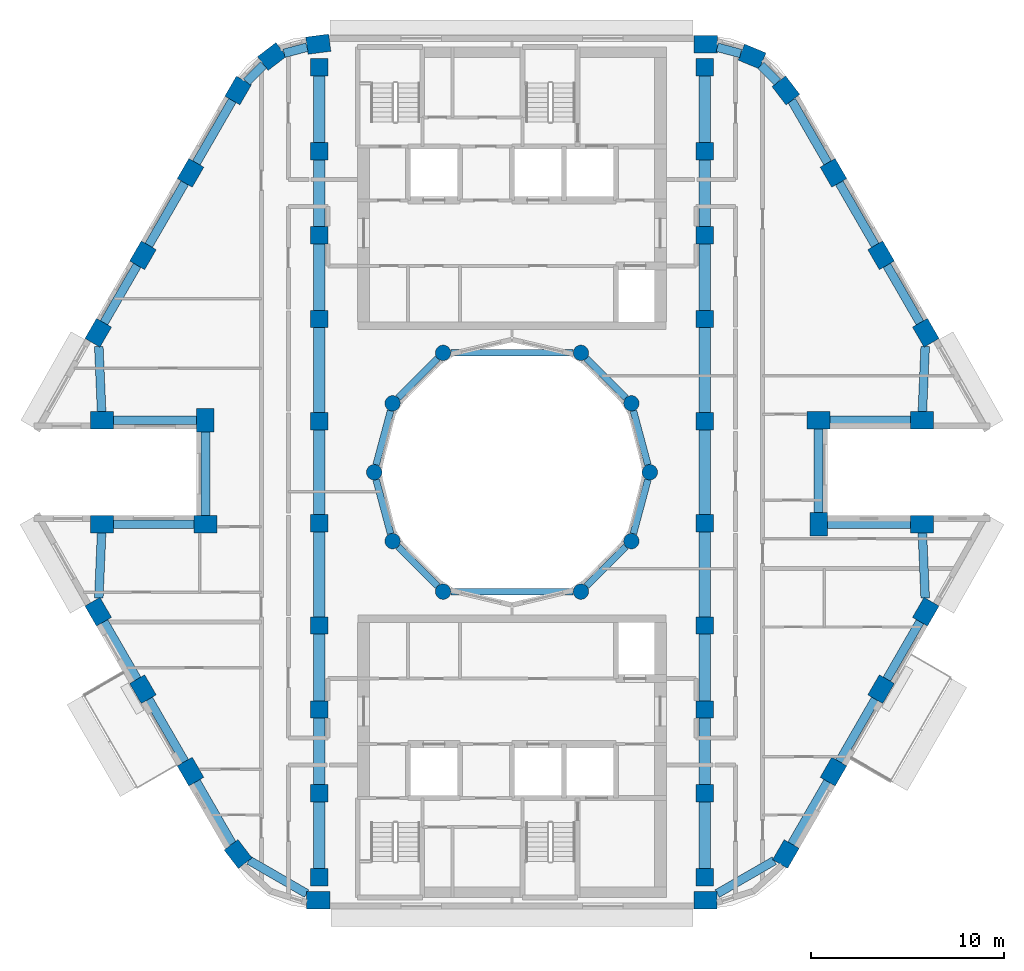
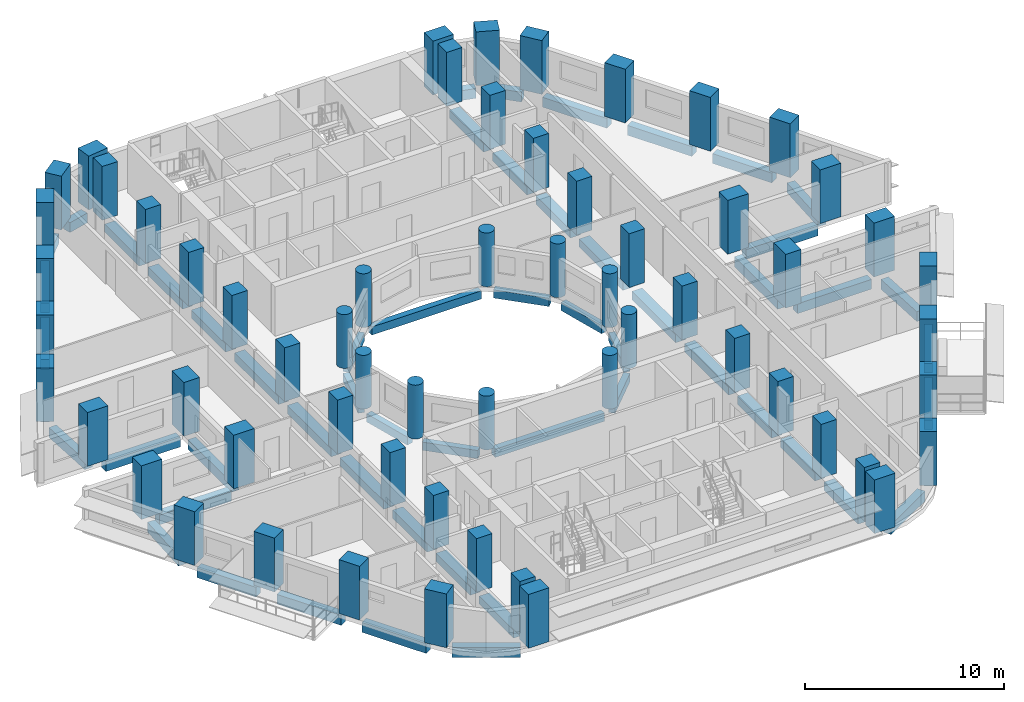
# One storey, part 1 of 15: 60 columns, 56 beams.
"""IFC4 building model written with IfcOpenShell, lengths in metres."""

from ifc_helpers import new_model, si_unit, direction, frame, origin, origin_2d, place, context, subcontext, project, spatial, rectangle, circle, extrude, material, material_profile, profile_set, type_object, element, save


model = new_model("IFC4")

# Units and contexts
model_context = context("Model", 3, precision=1e-05, world=origin(), true_north=direction((0.0, 1.0)))
body_context = subcontext(model_context, "Body", "Model", "MODEL_VIEW")
ifc_project = project(units=[si_unit("LENGTHUNIT", "METRE"), si_unit("AREAUNIT", "SQUARE_METRE"), si_unit("VOLUMEUNIT", "CUBIC_METRE"), si_unit("PLANEANGLEUNIT", "RADIAN"), si_unit("MASSUNIT", "GRAM", prefix="KILO")], contexts=[model_context])

# Site, building, storey
site_placement = place(None, origin())
site = spatial("IfcSite", under=ifc_project, at=site_placement, CompositionType="ELEMENT")
building_placement = place(site_placement, origin())
building = spatial("IfcBuilding", under=site, at=building_placement, Name="Nakaniwa Court", CompositionType="ELEMENT")
storey_placement = place(building_placement, frame((0.0, 0.0, 189.89990234375)))
storey = spatial("IfcBuildingStorey", under=building, at=storey_placement, Name="L49", CompositionType="ELEMENT", Elevation=189.89990234375)

# Columns
ifc_material = material(Name="Concrete C80/100", Category="concrete")
ifc_material_profile_1 = material_profile(ifc_material, rectangle(XDim=1.199951171875, YDim=0.89990234375, at=origin_2d()), Name="Concrete C80/100 RC 1200x900 perimeter column")
ifc_profile_set_1 = profile_set([ifc_material_profile_1], Name="Concrete C80/100")
column_type_1 = type_object("IfcColumnType", Name="Concrete C80/100 RC 1200x900 perimeter column", PredefinedType="COLUMN", material=ifc_profile_set_1)
for number, where, z_axis, x_axis, name in (
    (1, (69.95458984375, 102.199951171875, 0.0), (0.0, 0.0, 1.0), (-0.991442583111, -0.130543496177, 0.0), "COLUMN CO-01"),
    (2, (67.552001953125, 101.560302734375, 0.0), (0.0, 0.0, 1.0), (-0.793363965062, -0.608747582288, 0.0), "COLUMN CO-02"),
    (3, (65.796875, 99.799560546875, 0.0), (0.0, 0.0, 1.0), (-0.5, -0.866025403784, 0.0), "COLUMN CO-03"),
    (4, (63.328857421875, 95.524658203125, 0.0), (0.0, 0.0, 1.0), (-0.5, -0.866025403784, 0.0), "COLUMN CO-04"),
    (5, (60.860595703125, 91.249755859375, 0.0), (0.0, 0.0, 1.0), (-0.5, -0.866025403784, 0.0), "COLUMN CO-05"),
    (6, (58.541015625, 87.232177734375, 0.0), (0.0, 0.0, 1.0), (-0.5, -0.866025403784, 0.0), "COLUMN CO-06"),
    (7, (58.736083984375, 82.699951171875, 0.0), (0.0, 0.0, 1.0), (1.0, 0.0, 0.0), "COLUMN CO-08"),
    (8, (64.1005859375, 82.699951171875, 0.0), (0.0, 0.0, 1.0), (0.0, -1.0, 0.0), "COLUMN CO-09"),
    (9, (64.1005859375, 77.300048828125, 0.0), (0.0, 0.0, 1.0), (-1.0, 0.0, 0.0), "COLUMN CO-10"),
    (10, (58.736083984375, 77.300048828125, 0.0), (0.0, 0.0, 1.0), (-1.0, 0.0, 0.0), "COLUMN CO-11"),
    (11, (58.541015625, 72.767822265625, 0.0), (0.0, 0.0, 1.0), (0.5, -0.866025403784, 0.0), "COLUMN CO-13"),
    (12, (60.860595703125, 68.750244140625, 0.0), (0.0, 0.0, 1.0), (0.5, -0.866025403784, 0.0), "COLUMN CO-14"),
    (13, (63.328857421875, 64.475341796875, 0.0), (0.0, 0.0, 1.0), (0.5, -0.866025403784, 0.0), "COLUMN CO-15"),
    (14, (65.796875, 60.200439453125, 0.0), (0.0, 0.0, 1.0), (0.608761429009, -0.793353340291, 0.0), "COLUMN CO-16"),
    (15, (69.95458984375, 57.800048828125, 0.0), (0.0, 0.0, 1.0), (1.0, 0.0, 0.0), "COLUMN CO-17"),
    (16, (90.03955078125, 57.800048828125, 0.0), (0.0, 0.0, 1.0), (1.0, 0.0, 0.0), "COLUMN CO-21"),
    (17, (94.203125, 60.200439453125, 0.0), (0.0, 0.0, 1.0), (0.5, 0.866025403784, 0.0), "COLUMN CO-22"),
    (18, (96.671142578125, 64.475341796875, 0.0), (0.0, 0.0, 1.0), (0.5, 0.866025403784, 0.0), "COLUMN CO-23"),
    (19, (99.139404296875, 68.750244140625, 0.0), (0.0, 0.0, 1.0), (0.5, 0.866025403784, 0.0), "COLUMN CO-24"),
    (20, (101.458984375, 72.767822265625, 0.0), (0.0, 0.0, 1.0), (0.5, 0.866025403784, 0.0), "COLUMN CO-25"),
    (21, (101.263916015625, 77.300048828125, 0.0), (0.0, 0.0, 1.0), (-1.0, 0.0, 0.0), "COLUMN CO-27"),
    (22, (95.8994140625, 77.300048828125, 0.0), (0.0, 0.0, 1.0), (0.0, 1.0, 0.0), "COLUMN CO-28"),
    (23, (95.8994140625, 82.699951171875, 0.0), (0.0, 0.0, 1.0), (1.0, 0.0, 0.0), "COLUMN CO-29"),
    (24, (101.263916015625, 82.699951171875, 0.0), (0.0, 0.0, 1.0), (1.0, 0.0, 0.0), "COLUMN CO-30"),
    (25, (101.458984375, 87.232177734375, 0.0), (0.0, 0.0, 1.0), (-0.5, 0.866025403784, 0.0), "COLUMN CO-32"),
    (26, (99.139404296875, 91.249755859375, 0.0), (0.0, 0.0, 1.0), (-0.5, 0.866025403784, 0.0), "COLUMN CO-33"),
    (27, (96.671142578125, 95.524658203125, 0.0), (0.0, 0.0, 1.0), (-0.5, 0.866025403784, 0.0), "COLUMN CO-34"),
    (28, (94.203125, 99.799560546875, 0.0), (0.0, 0.0, 1.0), (-0.608761429009, 0.793353340291, 0.0), "COLUMN CO-35"),
    (29, (92.447998046875, 101.560302734375, 0.0), (0.0, 0.0, 1.0), (-0.923879532511, 0.382683432365, 0.0), "COLUMN CO-36"),
    (30, (90.04541015625, 102.199951171875, 0.0), (0.0, 0.0, 1.0), (-1.0, 0.0, 0.0), "COLUMN CO-37"),
):
    element("IfcColumn", number, at=place(storey_placement, frame(where, z_axis=z_axis, x_axis=x_axis)), inside=storey, type_object=column_type_1, Name=name, PredefinedType="COLUMN", context=body_context, shape_type="SweptSolid", body=[
        extrude(rectangle(XDim=1.199951171875, YDim=0.89990234375, at=origin_2d()), origin(), (0.0, 0.0, 1.0), 3.300048828125),
    ])
ifc_material_profile_2 = material_profile(ifc_material, rectangle(XDim=0.89990234375, YDim=0.89990234375, at=origin_2d()), Name="Concrete C80/100 RC 900x900 spine column")
ifc_profile_set_2 = profile_set([ifc_material_profile_2], Name="Concrete C80/100")
column_type_2 = type_object("IfcColumnType", Name="Concrete C80/100 RC 900x900 spine column", PredefinedType="COLUMN", material=ifc_profile_set_2)
for number, where, z_axis, x_axis, name in (
    (31, (90.0, 59.0, 0.0), (0.0, 0.0, 1.0), (0.0, 1.0, 0.0), "COLUMN CS-01"),
    (32, (90.0, 63.35009765625, 0.0), (0.0, 0.0, 1.0), (0.0, 1.0, 0.0), "COLUMN CS-02"),
    (33, (90.0, 67.699951171875, 0.0), (0.0, 0.0, 1.0), (0.0, 1.0, 0.0), "COLUMN CS-03"),
    (34, (90.0, 72.050048828125, 0.0), (0.0, 0.0, 1.0), (0.0, 1.0, 0.0), "COLUMN CS-04"),
    (35, (90.0, 77.35009765625, 0.0), (0.0, 0.0, 1.0), (0.0, 1.0, 0.0), "COLUMN CS-05"),
    (36, (90.0, 82.64990234375, 0.0), (0.0, 0.0, 1.0), (0.0, 1.0, 0.0), "COLUMN CS-06"),
    (37, (90.0, 87.949951171875, 0.0), (0.0, 0.0, 1.0), (0.0, 1.0, 0.0), "COLUMN CS-07"),
    (38, (90.0, 92.300048828125, 0.0), (0.0, 0.0, 1.0), (0.0, 1.0, 0.0), "COLUMN CS-08"),
    (39, (90.0, 96.64990234375, 0.0), (0.0, 0.0, 1.0), (0.0, 1.0, 0.0), "COLUMN CS-09"),
    (40, (90.0, 101.0, 0.0), (0.0, 0.0, 1.0), (0.0, 1.0, 0.0), "COLUMN CS-10"),
    (41, (70.0, 101.0, 0.0), (0.0, 0.0, 1.0), (0.0, -1.0, 0.0), "COLUMN CS-11"),
    (42, (70.0, 96.64990234375, 0.0), (0.0, 0.0, 1.0), (0.0, -1.0, 0.0), "COLUMN CS-12"),
    (43, (70.0, 92.300048828125, 0.0), (0.0, 0.0, 1.0), (0.0, -1.0, 0.0), "COLUMN CS-13"),
    (44, (70.0, 87.949951171875, 0.0), (0.0, 0.0, 1.0), (0.0, -1.0, 0.0), "COLUMN CS-14"),
    (45, (70.0, 82.64990234375, 0.0), (0.0, 0.0, 1.0), (0.0, -1.0, 0.0), "COLUMN CS-15"),
    (46, (70.0, 77.35009765625, 0.0), (0.0, 0.0, 1.0), (0.0, -1.0, 0.0), "COLUMN CS-16"),
    (47, (70.0, 72.050048828125, 0.0), (0.0, 0.0, 1.0), (0.0, -1.0, 0.0), "COLUMN CS-17"),
    (48, (70.0, 67.699951171875, 0.0), (0.0, 0.0, 1.0), (0.0, -1.0, 0.0), "COLUMN CS-18"),
    (49, (70.0, 63.35009765625, 0.0), (0.0, 0.0, 1.0), (0.0, -1.0, 0.0), "COLUMN CS-19"),
    (50, (70.0, 59.0, 0.0), (0.0, 0.0, 1.0), (0.0, -1.0, 0.0), "COLUMN CS-20"),
):
    element("IfcColumn", number, at=place(storey_placement, frame(where, z_axis=z_axis, x_axis=x_axis)), inside=storey, type_object=column_type_2, Name=name, PredefinedType="COLUMN", context=body_context, shape_type="SweptSolid", body=[
        extrude(rectangle(XDim=0.89990234375, YDim=0.89990234375, at=origin_2d()), origin(), (0.0, 0.0, 1.0), 3.300048828125),
    ])
ifc_material_profile_3 = material_profile(ifc_material, circle(Radius=0.39990234375, at=origin_2d()), Name="Concrete C80/100 RC D800 inner ring column")
ifc_profile_set_3 = profile_set([ifc_material_profile_3], Name="Concrete C80/100")
column_type_3 = type_object("IfcColumnType", Name="Concrete C80/100 RC D800 inner ring column", PredefinedType="COLUMN", material=ifc_profile_set_3)
for number, where, z_axis, x_axis, name in (
    (51, (87.14990234375, 80.0, 0.0), (0.0, 0.0, 1.0), (0.0, 1.0, 0.0), "COLUMN CI-01"),
    (52, (86.192138671875, 83.574951171875, 0.0), (0.0, 0.0, 1.0), (-0.5, 0.866025403784, 0.0), "COLUMN CI-02"),
    (53, (83.574951171875, 86.192138671875, 0.0), (0.0, 0.0, 1.0), (-0.866025403784, 0.5, 0.0), "COLUMN CI-03"),
    (54, (76.425048828125, 86.192138671875, 0.0), (0.0, 0.0, 1.0), (-0.866025403784, -0.5, 0.0), "COLUMN CI-05"),
    (55, (73.807861328125, 83.574951171875, 0.0), (0.0, 0.0, 1.0), (-0.5, -0.866025403784, 0.0), "COLUMN CI-06"),
    (56, (72.85009765625, 80.0, 0.0), (0.0, 0.0, 1.0), (0.0, -1.0, 0.0), "COLUMN CI-07"),
    (57, (73.807861328125, 76.425048828125, 0.0), (0.0, 0.0, 1.0), (0.5, -0.866025403784, 0.0), "COLUMN CI-08"),
    (58, (76.425048828125, 73.807861328125, 0.0), (0.0, 0.0, 1.0), (0.866025403784, -0.5, 0.0), "COLUMN CI-09"),
    (59, (83.574951171875, 73.807861328125, 0.0), (0.0, 0.0, 1.0), (0.866025403784, 0.5, 0.0), "COLUMN CI-11"),
    (60, (86.192138671875, 76.425048828125, 0.0), (0.0, 0.0, 1.0), (0.5, 0.866025403784, 0.0), "COLUMN CI-12"),
):
    element("IfcColumn", number, at=place(storey_placement, frame(where, z_axis=z_axis, x_axis=x_axis)), inside=storey, type_object=column_type_3, Name=name, PredefinedType="COLUMN", context=body_context, shape_type="SweptSolid", body=[
        extrude(circle(Radius=0.39990234375, at=origin_2d()), origin(), (0.0, 0.0, 1.0), 3.300048828125),
    ])

# Beams
ifc_material_profile_4 = material_profile(ifc_material, rectangle(XDim=0.35009765625, YDim=0.5, at=origin_2d()), Name="Concrete C80/100 RC 350x500 ring beam")
ifc_profile_set_4 = profile_set([ifc_material_profile_4], Name="Concrete C80/100")
beam_type_1 = type_object("IfcBeamType", Name="Concrete C80/100 RC 350x500 ring beam", PredefinedType="BEAM", material=ifc_profile_set_4)
beam_1_placement = place(storey_placement, frame((87.04638671875, 80.386474609375, -0.52490234375), z_axis=(-0.258778150207, 0.965936783115, 0.0), x_axis=(-0.965936783115, -0.258778150207, 0.0)))
element("IfcBeam", 61, at=beam_1_placement, inside=storey, type_object=beam_type_1, Name="RING BEAM", PredefinedType="BEAM", context=body_context, shape_type="SweptSolid", body=[
    extrude(rectangle(XDim=0.35009765625, YDim=0.5, at=origin_2d()), origin(), (0.0, 0.0, 1.0), 2.901123046875),
])
beam_2_placement = place(storey_placement, frame((85.9091796875, 83.85791015625, -0.52490234375), z_axis=(-0.707106781187, 0.707106781187, 0.0), x_axis=(-0.707106781187, -0.707106781187, 0.0)))
element("IfcBeam", 62, at=beam_2_placement, inside=storey, type_object=beam_type_1, Name="RING BEAM", PredefinedType="BEAM", context=body_context, shape_type="SweptSolid", body=[
    extrude(rectangle(XDim=0.35009765625, YDim=0.5, at=origin_2d()), origin(), (0.0, 0.0, 1.0), 2.90087890625),
])
beam_3_placement = place(storey_placement, frame((83.175048828125, 86.192138671875, -0.52490234375), z_axis=(-1.0, 0.0, 0.0), x_axis=(0.0, -1.0, 0.0)))
element("IfcBeam", 63, at=beam_3_placement, inside=storey, type_object=beam_type_1, Name="RING BEAM", PredefinedType="BEAM", context=body_context, shape_type="SweptSolid", body=[
    extrude(rectangle(XDim=0.35009765625, YDim=0.5, at=origin_2d()), origin(), (0.0, 0.0, 1.0), 6.35009765625),
])
beam_4_placement = place(storey_placement, frame((76.14208984375, 85.9091796875, -0.52490234375), z_axis=(-0.707106781187, -0.707106781187, 0.0), x_axis=(0.707106781187, -0.707106781187, 0.0)))
element("IfcBeam", 64, at=beam_4_placement, inside=storey, type_object=beam_type_1, Name="RING BEAM", PredefinedType="BEAM", context=body_context, shape_type="SweptSolid", body=[
    extrude(rectangle(XDim=0.35009765625, YDim=0.5, at=origin_2d()), origin(), (0.0, 0.0, 1.0), 2.90087890625),
])
for number, where, z_axis, x_axis, name in (
    (65, (73.704345703125, 83.188720703125, -0.52490234375), (-0.258778150207, -0.965936783115, 0.0), (0.965936783115, -0.258778150207, 0.0), "RING BEAM"),
    (66, (72.95361328125, 79.613525390625, -0.52490234375), (0.258778150207, -0.965936783115, 0.0), (0.965936783115, 0.258778150207, 0.0), "RING BEAM"),
):
    element("IfcBeam", number, at=place(storey_placement, frame(where, z_axis=z_axis, x_axis=x_axis)), inside=storey, type_object=beam_type_1, Name=name, PredefinedType="BEAM", context=body_context, shape_type="SweptSolid", body=[
        extrude(rectangle(XDim=0.35009765625, YDim=0.5, at=origin_2d()), origin(), (0.0, 0.0, 1.0), 2.901123046875),
    ])
beam_5_placement = place(storey_placement, frame((74.0908203125, 76.14208984375, -0.52490234375), z_axis=(0.707106781187, -0.707106781187, 0.0), x_axis=(0.707106781187, 0.707106781187, 0.0)))
element("IfcBeam", 67, at=beam_5_placement, inside=storey, type_object=beam_type_1, Name="RING BEAM", PredefinedType="BEAM", context=body_context, shape_type="SweptSolid", body=[
    extrude(rectangle(XDim=0.35009765625, YDim=0.5, at=origin_2d()), origin(), (0.0, 0.0, 1.0), 2.90087890625),
])
beam_6_placement = place(storey_placement, frame((76.824951171875, 73.807861328125, -0.52490234375), z_axis=(1.0, 0.0, 0.0), x_axis=(0.0, 1.0, 0.0)))
element("IfcBeam", 68, at=beam_6_placement, inside=storey, type_object=beam_type_1, Name="RING BEAM", PredefinedType="BEAM", context=body_context, shape_type="SweptSolid", body=[
    extrude(rectangle(XDim=0.35009765625, YDim=0.5, at=origin_2d()), origin(), (0.0, 0.0, 1.0), 6.35009765625),
])
beam_7_placement = place(storey_placement, frame((83.85791015625, 74.0908203125, -0.52490234375), z_axis=(0.707106781187, 0.707106781187, 0.0), x_axis=(-0.707106781187, 0.707106781187, 0.0)))
element("IfcBeam", 69, at=beam_7_placement, inside=storey, type_object=beam_type_1, Name="RING BEAM", PredefinedType="BEAM", context=body_context, shape_type="SweptSolid", body=[
    extrude(rectangle(XDim=0.35009765625, YDim=0.5, at=origin_2d()), origin(), (0.0, 0.0, 1.0), 2.90087890625),
])
beam_8_placement = place(storey_placement, frame((86.295654296875, 76.811279296875, -0.52490234375), z_axis=(0.258778150207, 0.965936783115, 0.0), x_axis=(-0.965936783115, 0.258778150207, 0.0)))
element("IfcBeam", 70, at=beam_8_placement, inside=storey, type_object=beam_type_1, Name="RING BEAM", PredefinedType="BEAM", context=body_context, shape_type="SweptSolid", body=[
    extrude(rectangle(XDim=0.35009765625, YDim=0.5, at=origin_2d()), origin(), (0.0, 0.0, 1.0), 2.901123046875),
])
ifc_material_profile_5 = material_profile(ifc_material, rectangle(XDim=0.449951171875, YDim=0.60009765625, at=origin_2d()), Name="Concrete C80/100 RC 450x600 spandrel beam")
ifc_profile_set_5 = profile_set([ifc_material_profile_5], Name="Concrete C80/100")
beam_type_2 = type_object("IfcBeamType", Name="Concrete C80/100 RC 450x600 spandrel beam", PredefinedType="BEAM", material=ifc_profile_set_5)
beam_9_placement = place(storey_placement, frame((69.3701171875, 102.044189453125, -0.574951171875), z_axis=(-0.966320442624, -0.257341800272, 0.0), x_axis=(0.257341800272, -0.966320442624, 0.0)))
element("IfcBeam", 71, at=beam_9_placement, inside=storey, type_object=beam_type_2, Name="SPANDREL BEAM", PredefinedType="BEAM", context=body_context, shape_type="SweptSolid", body=[
    extrude(rectangle(XDim=0.449951171875, YDim=0.60009765625, at=origin_2d()), origin(), (0.0, 0.0, 1.0), 1.2314453125),
])
beam_10_placement = place(storey_placement, frame((67.124755859375, 101.131591796875, -0.574951171875), z_axis=(-0.705943141011, -0.708268509578, 0.0), x_axis=(0.708268509578, -0.705943141011, 0.0)))
element("IfcBeam", 72, at=beam_10_placement, inside=storey, type_object=beam_type_2, Name="SPANDREL BEAM", PredefinedType="BEAM", context=body_context, shape_type="SweptSolid", body=[
    extrude(rectangle(XDim=0.449951171875, YDim=0.60009765625, at=origin_2d()), origin(), (0.0, 0.0, 1.0), 1.259765625),
])
for number, where, z_axis, x_axis, name in (
    (73, (65.496826171875, 99.27978515625, -0.574951171875), (-0.499969460568, -0.866043035016, 0.0), (0.866043035016, -0.499969460568, 0.0), "SPANDREL BEAM"),
    (74, (63.02880859375, 95.0048828125, -0.574951171875), (-0.500018470369, -0.866014739649, 0.0), (0.866014739649, -0.500018470369, 0.0), "SPANDREL BEAM"),
):
    element("IfcBeam", number, at=place(storey_placement, frame(where, z_axis=z_axis, x_axis=x_axis)), inside=storey, type_object=beam_type_2, Name=name, PredefinedType="BEAM", context=body_context, shape_type="SweptSolid", body=[
        extrude(rectangle(XDim=0.449951171875, YDim=0.60009765625, at=origin_2d()), origin(), (0.0, 0.0, 1.0), 3.736083984375),
    ])
beam_11_placement = place(storey_placement, frame((60.560791015625, 90.72998046875, -0.574951171875), z_axis=(-0.500048133448, -0.865997612142, 0.0), x_axis=(0.865997612142, -0.500048133448, 0.0)))
element("IfcBeam", 75, at=beam_11_placement, inside=storey, type_object=beam_type_2, Name="SPANDREL BEAM", PredefinedType="BEAM", context=body_context, shape_type="SweptSolid", body=[
    extrude(rectangle(XDim=0.449951171875, YDim=0.60009765625, at=origin_2d()), origin(), (0.0, 0.0, 1.0), 3.439208984375),
])
beam_12_placement = place(storey_placement, frame((58.57177734375, 86.521728515625, -0.574951171875), z_axis=(0.042897265713, -0.999079488627, 0.0), x_axis=(0.999079488627, 0.042897265713, 0.0)))
element("IfcBeam", 76, at=beam_12_placement, inside=storey, type_object=beam_type_2, Name="SPANDREL BEAM", PredefinedType="BEAM", context=body_context, shape_type="SweptSolid", body=[
    extrude(rectangle(XDim=0.449951171875, YDim=0.60009765625, at=origin_2d()), origin(), (0.0, 0.0, 1.0), 3.375),
])
beam_13_placement = place(storey_placement, frame((59.3359375, 82.699951171875, -0.574951171875), z_axis=(1.0, 0.0, 0.0), x_axis=(0.0, 1.0, 0.0)))
element("IfcBeam", 77, at=beam_13_placement, inside=storey, type_object=beam_type_2, Name="SPANDREL BEAM", PredefinedType="BEAM", context=body_context, shape_type="SweptSolid", body=[
    extrude(rectangle(XDim=0.449951171875, YDim=0.60009765625, at=origin_2d()), origin(), (0.0, 0.0, 1.0), 4.314453125),
])
beam_14_placement = place(storey_placement, frame((64.1005859375, 82.10009765625, -0.574951171875), z_axis=(0.0, -1.0, 0.0), x_axis=(1.0, 0.0, 0.0)))
element("IfcBeam", 78, at=beam_14_placement, inside=storey, type_object=beam_type_2, Name="SPANDREL BEAM", PredefinedType="BEAM", context=body_context, shape_type="SweptSolid", body=[
    extrude(rectangle(XDim=0.449951171875, YDim=0.60009765625, at=origin_2d()), origin(), (0.0, 0.0, 1.0), 4.35009765625),
])
beam_15_placement = place(storey_placement, frame((63.50048828125, 77.300048828125, -0.574951171875), z_axis=(-1.0, 0.0, 0.0), x_axis=(0.0, -1.0, 0.0)))
element("IfcBeam", 79, at=beam_15_placement, inside=storey, type_object=beam_type_2, Name="SPANDREL BEAM", PredefinedType="BEAM", context=body_context, shape_type="SweptSolid", body=[
    extrude(rectangle(XDim=0.449951171875, YDim=0.60009765625, at=origin_2d()), origin(), (0.0, 0.0, 1.0), 4.16455078125),
])
beam_16_placement = place(storey_placement, frame((58.716552734375, 76.85009765625, -0.574951171875), z_axis=(-0.042897265713, -0.999079488627, 0.0), x_axis=(0.999079488627, -0.042897265713, 0.0)))
element("IfcBeam", 80, at=beam_16_placement, inside=storey, type_object=beam_type_2, Name="SPANDREL BEAM", PredefinedType="BEAM", context=body_context, shape_type="SweptSolid", body=[
    extrude(rectangle(XDim=0.449951171875, YDim=0.60009765625, at=origin_2d()), origin(), (0.0, 0.0, 1.0), 3.375),
])
beam_17_placement = place(storey_placement, frame((58.841064453125, 72.248291015625, -0.574951171875), z_axis=(0.500048133448, -0.865997612142, 0.0), x_axis=(0.865997612142, 0.500048133448, 0.0)))
element("IfcBeam", 81, at=beam_17_placement, inside=storey, type_object=beam_type_2, Name="SPANDREL BEAM", PredefinedType="BEAM", context=body_context, shape_type="SweptSolid", body=[
    extrude(rectangle(XDim=0.449951171875, YDim=0.60009765625, at=origin_2d()), origin(), (0.0, 0.0, 1.0), 3.439208984375),
])
beam_18_placement = place(storey_placement, frame((61.16064453125, 68.230712890625, -0.574951171875), z_axis=(0.500018470369, -0.866014739649, 0.0), x_axis=(0.866014739649, 0.500018470369, 0.0)))
element("IfcBeam", 82, at=beam_18_placement, inside=storey, type_object=beam_type_2, Name="SPANDREL BEAM", PredefinedType="BEAM", context=body_context, shape_type="SweptSolid", body=[
    extrude(rectangle(XDim=0.449951171875, YDim=0.60009765625, at=origin_2d()), origin(), (0.0, 0.0, 1.0), 3.736083984375),
])
beam_19_placement = place(storey_placement, frame((63.62890625, 63.955810546875, -0.574951171875), z_axis=(0.499988672538, -0.866031943599, 0.0), x_axis=(0.866031943599, 0.499988672538, 0.0)))
element("IfcBeam", 83, at=beam_19_placement, inside=storey, type_object=beam_type_2, Name="SPANDREL BEAM", PredefinedType="BEAM", context=body_context, shape_type="SweptSolid", body=[
    extrude(rectangle(XDim=0.449951171875, YDim=0.60009765625, at=origin_2d()), origin(), (0.0, 0.0, 1.0), 3.73095703125),
])
beam_20_placement = place(storey_placement, frame((66.359375, 59.875732421875, -0.574951171875), z_axis=(0.866041005548, -0.49997297598, 0.0), x_axis=(0.49997297598, 0.866041005548, 0.0)))
element("IfcBeam", 84, at=beam_20_placement, inside=storey, type_object=beam_type_2, Name="SPANDREL BEAM", PredefinedType="BEAM", context=body_context, shape_type="SweptSolid", body=[
    extrude(rectangle(XDim=0.449951171875, YDim=0.60009765625, at=origin_2d()), origin(), (0.0, 0.0, 1.0), 3.458740234375),
])
beam_21_placement = place(storey_placement, frame((90.639404296875, 58.14599609375, -0.574951171875), z_axis=(0.866361397704, 0.499417589367, 0.0), x_axis=(-0.499417589367, 0.866361397704, 0.0)))
element("IfcBeam", 85, at=beam_21_placement, inside=storey, type_object=beam_type_2, Name="SPANDREL BEAM", PredefinedType="BEAM", context=body_context, shape_type="SweptSolid", body=[
    extrude(rectangle(XDim=0.449951171875, YDim=0.60009765625, at=origin_2d()), origin(), (0.0, 0.0, 1.0), 3.42041015625),
])
for number, where, z_axis, x_axis, name in (
    (86, (94.503173828125, 60.72021484375, -0.574951171875), (0.499969460568, 0.866043035016, 0.0), (-0.866043035016, 0.499969460568, 0.0), "SPANDREL BEAM"),
    (87, (96.97119140625, 64.9951171875, -0.574951171875), (0.500018470369, 0.866014739649, 0.0), (-0.866014739649, 0.500018470369, 0.0), "SPANDREL BEAM"),
):
    element("IfcBeam", number, at=place(storey_placement, frame(where, z_axis=z_axis, x_axis=x_axis)), inside=storey, type_object=beam_type_2, Name=name, PredefinedType="BEAM", context=body_context, shape_type="SweptSolid", body=[
        extrude(rectangle(XDim=0.449951171875, YDim=0.60009765625, at=origin_2d()), origin(), (0.0, 0.0, 1.0), 3.736083984375),
    ])
beam_22_placement = place(storey_placement, frame((99.439208984375, 69.27001953125, -0.574951171875), z_axis=(0.500048133448, 0.865997612142, 0.0), x_axis=(-0.865997612142, 0.500048133448, 0.0)))
element("IfcBeam", 88, at=beam_22_placement, inside=storey, type_object=beam_type_2, Name="SPANDREL BEAM", PredefinedType="BEAM", context=body_context, shape_type="SweptSolid", body=[
    extrude(rectangle(XDim=0.449951171875, YDim=0.60009765625, at=origin_2d()), origin(), (0.0, 0.0, 1.0), 3.439208984375),
])
beam_23_placement = place(storey_placement, frame((101.42822265625, 73.478271484375, -0.574951171875), z_axis=(-0.042897265713, 0.999079488627, 0.0), x_axis=(-0.999079488627, -0.042897265713, 0.0)))
element("IfcBeam", 89, at=beam_23_placement, inside=storey, type_object=beam_type_2, Name="SPANDREL BEAM", PredefinedType="BEAM", context=body_context, shape_type="SweptSolid", body=[
    extrude(rectangle(XDim=0.449951171875, YDim=0.60009765625, at=origin_2d()), origin(), (0.0, 0.0, 1.0), 3.375),
])
beam_24_placement = place(storey_placement, frame((100.6640625, 77.300048828125, -0.574951171875), z_axis=(-1.0, 0.0, 0.0), x_axis=(0.0, -1.0, 0.0)))
element("IfcBeam", 90, at=beam_24_placement, inside=storey, type_object=beam_type_2, Name="SPANDREL BEAM", PredefinedType="BEAM", context=body_context, shape_type="SweptSolid", body=[
    extrude(rectangle(XDim=0.449951171875, YDim=0.60009765625, at=origin_2d()), origin(), (0.0, 0.0, 1.0), 4.314453125),
])
beam_25_placement = place(storey_placement, frame((95.8994140625, 77.89990234375, -0.574951171875), z_axis=(0.0, 1.0, 0.0), x_axis=(-1.0, 0.0, 0.0)))
element("IfcBeam", 91, at=beam_25_placement, inside=storey, type_object=beam_type_2, Name="SPANDREL BEAM", PredefinedType="BEAM", context=body_context, shape_type="SweptSolid", body=[
    extrude(rectangle(XDim=0.449951171875, YDim=0.60009765625, at=origin_2d()), origin(), (0.0, 0.0, 1.0), 4.35009765625),
])
beam_26_placement = place(storey_placement, frame((96.49951171875, 82.699951171875, -0.574951171875), z_axis=(1.0, 0.0, 0.0), x_axis=(0.0, 1.0, 0.0)))
element("IfcBeam", 92, at=beam_26_placement, inside=storey, type_object=beam_type_2, Name="SPANDREL BEAM", PredefinedType="BEAM", context=body_context, shape_type="SweptSolid", body=[
    extrude(rectangle(XDim=0.449951171875, YDim=0.60009765625, at=origin_2d()), origin(), (0.0, 0.0, 1.0), 4.16455078125),
])
beam_27_placement = place(storey_placement, frame((101.283447265625, 83.14990234375, -0.574951171875), z_axis=(0.042897265713, 0.999079488627, 0.0), x_axis=(-0.999079488627, 0.042897265713, 0.0)))
element("IfcBeam", 93, at=beam_27_placement, inside=storey, type_object=beam_type_2, Name="SPANDREL BEAM", PredefinedType="BEAM", context=body_context, shape_type="SweptSolid", body=[
    extrude(rectangle(XDim=0.449951171875, YDim=0.60009765625, at=origin_2d()), origin(), (0.0, 0.0, 1.0), 3.375),
])
beam_28_placement = place(storey_placement, frame((101.158935546875, 87.751708984375, -0.574951171875), z_axis=(-0.500048133448, 0.865997612142, 0.0), x_axis=(-0.865997612142, -0.500048133448, 0.0)))
element("IfcBeam", 94, at=beam_28_placement, inside=storey, type_object=beam_type_2, Name="SPANDREL BEAM", PredefinedType="BEAM", context=body_context, shape_type="SweptSolid", body=[
    extrude(rectangle(XDim=0.449951171875, YDim=0.60009765625, at=origin_2d()), origin(), (0.0, 0.0, 1.0), 3.439208984375),
])
beam_29_placement = place(storey_placement, frame((98.83935546875, 91.769287109375, -0.574951171875), z_axis=(-0.500018470369, 0.866014739649, 0.0), x_axis=(-0.866014739649, -0.500018470369, 0.0)))
element("IfcBeam", 95, at=beam_29_placement, inside=storey, type_object=beam_type_2, Name="SPANDREL BEAM", PredefinedType="BEAM", context=body_context, shape_type="SweptSolid", body=[
    extrude(rectangle(XDim=0.449951171875, YDim=0.60009765625, at=origin_2d()), origin(), (0.0, 0.0, 1.0), 3.736083984375),
])
beam_30_placement = place(storey_placement, frame((96.37109375, 96.044189453125, -0.574951171875), z_axis=(-0.499988672538, 0.866031943599, 0.0), x_axis=(-0.866031943599, -0.499988672538, 0.0)))
element("IfcBeam", 96, at=beam_30_placement, inside=storey, type_object=beam_type_2, Name="SPANDREL BEAM", PredefinedType="BEAM", context=body_context, shape_type="SweptSolid", body=[
    extrude(rectangle(XDim=0.449951171875, YDim=0.60009765625, at=origin_2d()), origin(), (0.0, 0.0, 1.0), 3.73095703125),
])
beam_31_placement = place(storey_placement, frame((93.77587890625, 100.22802734375, -0.574951171875), z_axis=(-0.705916034154, 0.708295526404, 0.0), x_axis=(-0.708295526404, -0.705916034154, 0.0)))
element("IfcBeam", 97, at=beam_31_placement, inside=storey, type_object=beam_type_2, Name="SPANDREL BEAM", PredefinedType="BEAM", context=body_context, shape_type="SweptSolid", body=[
    extrude(rectangle(XDim=0.449951171875, YDim=0.60009765625, at=origin_2d()), origin(), (0.0, 0.0, 1.0), 1.231201171875),
])
beam_32_placement = place(storey_placement, frame((91.863037109375, 101.716064453125, -0.574951171875), z_axis=(-0.966337757832, 0.257276772735, 0.0), x_axis=(-0.257276772735, -0.966337757832, 0.0)))
element("IfcBeam", 98, at=beam_32_placement, inside=storey, type_object=beam_type_2, Name="SPANDREL BEAM", PredefinedType="BEAM", context=body_context, shape_type="SweptSolid", body=[
    extrude(rectangle(XDim=0.449951171875, YDim=0.60009765625, at=origin_2d()), origin(), (0.0, 0.0, 1.0), 1.26025390625),
])
ifc_material_profile_6 = material_profile(ifc_material, rectangle(XDim=0.60009765625, YDim=0.5, at=origin_2d()), Name="Concrete C80/100 RC 600x500 ring beam")
ifc_profile_set_6 = profile_set([ifc_material_profile_6], Name="Concrete C80/100")
beam_type_3 = type_object("IfcBeamType", Name="Concrete C80/100 RC 600x500 ring beam", PredefinedType="BEAM", material=ifc_profile_set_6)
for number, where, z_axis, x_axis, name in (
    (99, (90.0, 59.449951171875, -0.52490234375), (0.0, 1.0, 0.0), (-1.0, 0.0, 0.0), "RING BEAM"),
    (100, (90.0, 63.800048828125, -0.52490234375), (0.0, 1.0, 0.0), (-1.0, 0.0, 0.0), "RING BEAM"),
):
    element("IfcBeam", number, at=place(storey_placement, frame(where, z_axis=z_axis, x_axis=x_axis)), inside=storey, type_object=beam_type_3, Name=name, PredefinedType="BEAM", context=body_context, shape_type="SweptSolid", body=[
        extrude(rectangle(XDim=0.60009765625, YDim=0.5, at=origin_2d()), origin(), (0.0, 0.0, 1.0), 3.449951171875),
    ])
beam_33_placement = place(storey_placement, frame((90.0, 68.14990234375, -0.52490234375), z_axis=(0.0, 1.0, 0.0), x_axis=(-1.0, 0.0, 0.0)))
element("IfcBeam", 101, at=beam_33_placement, inside=storey, type_object=beam_type_3, Name="RING BEAM", PredefinedType="BEAM", context=body_context, shape_type="SweptSolid", body=[
    extrude(rectangle(XDim=0.60009765625, YDim=0.5, at=origin_2d()), origin(), (0.0, 0.0, 1.0), 3.4501953125),
])
for number, where, z_axis, x_axis, name in (
    (102, (90.0, 72.5, -0.52490234375), (0.0, 1.0, 0.0), (-1.0, 0.0, 0.0), "RING BEAM"),
    (103, (90.0, 77.800048828125, -0.52490234375), (0.0, 1.0, 0.0), (-1.0, 0.0, 0.0), "RING BEAM"),
    (104, (90.0, 83.10009765625, -0.52490234375), (0.0, 1.0, 0.0), (-1.0, 0.0, 0.0), "RING BEAM"),
):
    element("IfcBeam", number, at=place(storey_placement, frame(where, z_axis=z_axis, x_axis=x_axis)), inside=storey, type_object=beam_type_3, Name=name, PredefinedType="BEAM", context=body_context, shape_type="SweptSolid", body=[
        extrude(rectangle(XDim=0.60009765625, YDim=0.5, at=origin_2d()), origin(), (0.0, 0.0, 1.0), 4.39990234375),
    ])
beam_34_placement = place(storey_placement, frame((90.0, 88.39990234375, -0.52490234375), z_axis=(0.0, 1.0, 0.0), x_axis=(-1.0, 0.0, 0.0)))
element("IfcBeam", 105, at=beam_34_placement, inside=storey, type_object=beam_type_3, Name="RING BEAM", PredefinedType="BEAM", context=body_context, shape_type="SweptSolid", body=[
    extrude(rectangle(XDim=0.60009765625, YDim=0.5, at=origin_2d()), origin(), (0.0, 0.0, 1.0), 3.4501953125),
])
for number, where, z_axis, x_axis, name in (
    (106, (90.0, 92.75, -0.52490234375), (0.0, 1.0, 0.0), (-1.0, 0.0, 0.0), "RING BEAM"),
    (107, (90.0, 97.10009765625, -0.52490234375), (0.0, 1.0, 0.0), (-1.0, 0.0, 0.0), "RING BEAM"),
    (108, (70.0, 100.550048828125, -0.52490234375), (0.0, -1.0, 0.0), (1.0, 0.0, 0.0), "RING BEAM"),
    (109, (70.0, 96.199951171875, -0.52490234375), (0.0, -1.0, 0.0), (1.0, 0.0, 0.0), "RING BEAM"),
):
    element("IfcBeam", number, at=place(storey_placement, frame(where, z_axis=z_axis, x_axis=x_axis)), inside=storey, type_object=beam_type_3, Name=name, PredefinedType="BEAM", context=body_context, shape_type="SweptSolid", body=[
        extrude(rectangle(XDim=0.60009765625, YDim=0.5, at=origin_2d()), origin(), (0.0, 0.0, 1.0), 3.449951171875),
    ])
beam_35_placement = place(storey_placement, frame((70.0, 91.85009765625, -0.52490234375), z_axis=(0.0, -1.0, 0.0), x_axis=(1.0, 0.0, 0.0)))
element("IfcBeam", 110, at=beam_35_placement, inside=storey, type_object=beam_type_3, Name="RING BEAM", PredefinedType="BEAM", context=body_context, shape_type="SweptSolid", body=[
    extrude(rectangle(XDim=0.60009765625, YDim=0.5, at=origin_2d()), origin(), (0.0, 0.0, 1.0), 3.4501953125),
])
for number, where, z_axis, x_axis, name in (
    (111, (70.0, 87.5, -0.52490234375), (0.0, -1.0, 0.0), (1.0, 0.0, 0.0), "RING BEAM"),
    (112, (70.0, 82.199951171875, -0.52490234375), (0.0, -1.0, 0.0), (1.0, 0.0, 0.0), "RING BEAM"),
    (113, (70.0, 76.89990234375, -0.52490234375), (0.0, -1.0, 0.0), (1.0, 0.0, 0.0), "RING BEAM"),
):
    element("IfcBeam", number, at=place(storey_placement, frame(where, z_axis=z_axis, x_axis=x_axis)), inside=storey, type_object=beam_type_3, Name=name, PredefinedType="BEAM", context=body_context, shape_type="SweptSolid", body=[
        extrude(rectangle(XDim=0.60009765625, YDim=0.5, at=origin_2d()), origin(), (0.0, 0.0, 1.0), 4.39990234375),
    ])
beam_36_placement = place(storey_placement, frame((70.0, 71.60009765625, -0.52490234375), z_axis=(0.0, -1.0, 0.0), x_axis=(1.0, 0.0, 0.0)))
element("IfcBeam", 114, at=beam_36_placement, inside=storey, type_object=beam_type_3, Name="RING BEAM", PredefinedType="BEAM", context=body_context, shape_type="SweptSolid", body=[
    extrude(rectangle(XDim=0.60009765625, YDim=0.5, at=origin_2d()), origin(), (0.0, 0.0, 1.0), 3.4501953125),
])
for number, where, z_axis, x_axis, name in (
    (115, (70.0, 67.25, -0.52490234375), (0.0, -1.0, 0.0), (1.0, 0.0, 0.0), "RING BEAM"),
    (116, (70.0, 62.89990234375, -0.52490234375), (0.0, -1.0, 0.0), (1.0, 0.0, 0.0), "RING BEAM"),
):
    element("IfcBeam", number, at=place(storey_placement, frame(where, z_axis=z_axis, x_axis=x_axis)), inside=storey, type_object=beam_type_3, Name=name, PredefinedType="BEAM", context=body_context, shape_type="SweptSolid", body=[
        extrude(rectangle(XDim=0.60009765625, YDim=0.5, at=origin_2d()), origin(), (0.0, 0.0, 1.0), 3.449951171875),
    ])

save(model, "model.ifc")
